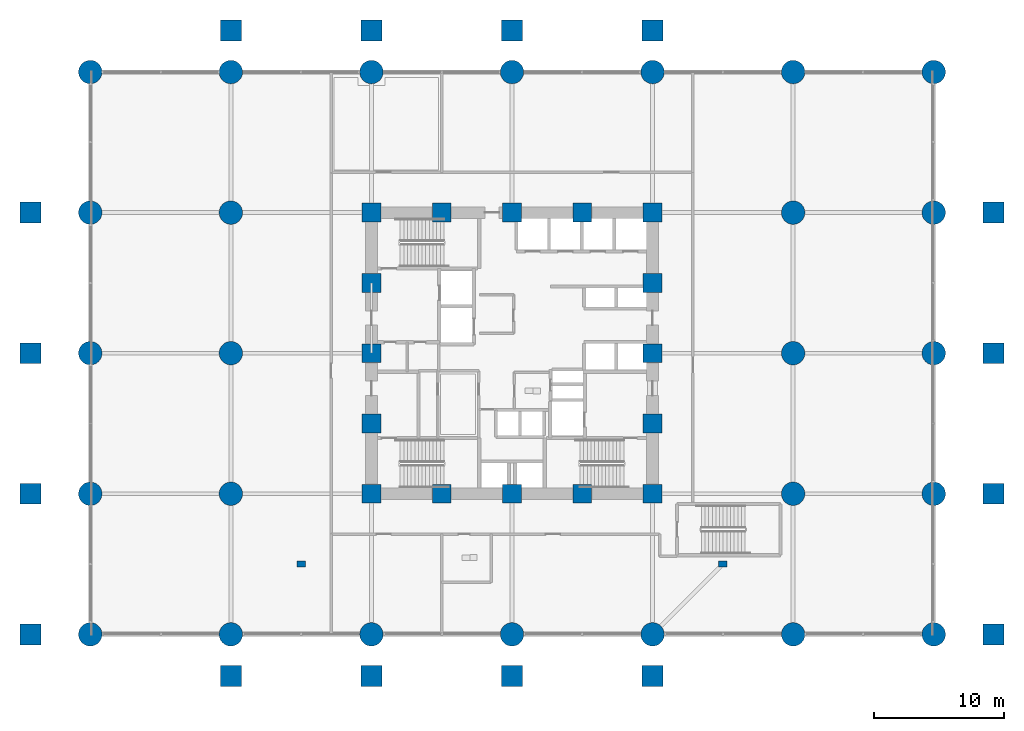
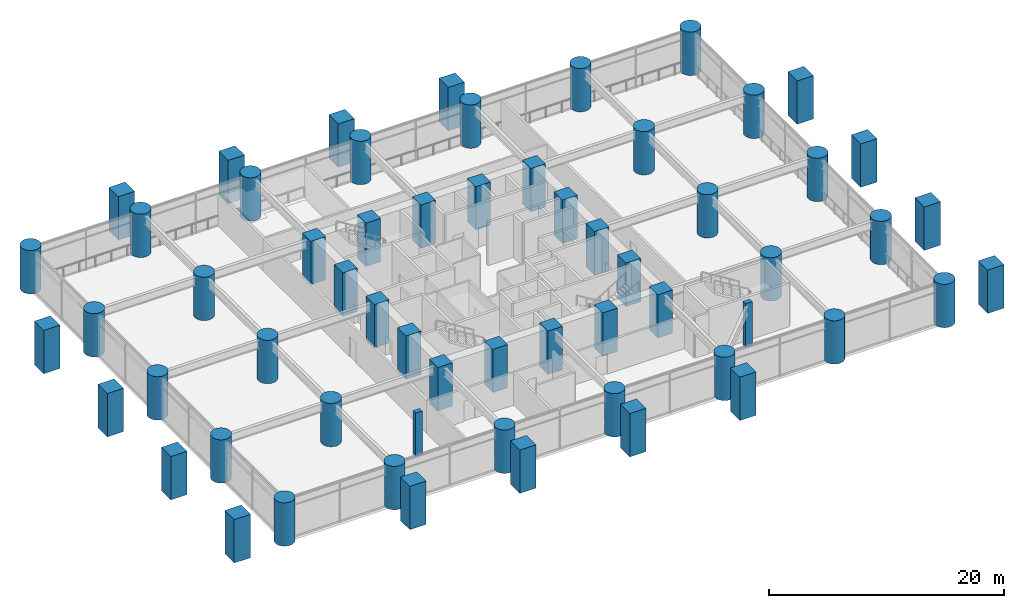
# One storey, part 1 of 31: 60 columns.
"""IFC4 building model written with IfcOpenShell, lengths in metres."""

from ifc_helpers import new_model, si_unit, direction, frame, origin, origin_2d, place, context, subcontext, project, spatial, rectangle, circle, extrude, material, material_profile, profile_set, type_object, element, save


model = new_model("IFC4")

# Units and contexts
model_context = context("Model", 3, precision=1e-05, world=origin(), true_north=direction((0.0, 1.0)))
body_context = subcontext(model_context, "Body", "Model", "MODEL_VIEW")
ifc_project = project(units=[si_unit("LENGTHUNIT", "METRE"), si_unit("AREAUNIT", "SQUARE_METRE"), si_unit("VOLUMEUNIT", "CUBIC_METRE"), si_unit("PLANEANGLEUNIT", "RADIAN"), si_unit("MASSUNIT", "GRAM", prefix="KILO")], contexts=[model_context])

# Site, building, storey
site_placement = place(None, origin())
site = spatial("IfcSite", under=ifc_project, at=site_placement, CompositionType="ELEMENT")
building_placement = place(site_placement, origin())
building = spatial("IfcBuilding", under=site, at=building_placement, Name="Surkhivell Harbour Commons", CompositionType="ELEMENT")
storey_placement = place(building_placement, frame((0.0, 0.0, 4.5)))
storey = spatial("IfcBuildingStorey", under=building, at=storey_placement, Name="L01", CompositionType="ELEMENT", Elevation=4.5)

# Columns
ifc_material_1 = material(Name="Concrete C80/95", Category="concrete")
ifc_material_profile_1 = material_profile(ifc_material_1, rectangle(XDim=1.449951171875, YDim=1.449951171875, at=origin_2d()), Name="RC-COL-1450x1450")
ifc_profile_set_1 = profile_set([ifc_material_profile_1], Name="Concrete C80/95")
column_type_1 = type_object("IfcColumnType", Name="COL-CORE-1450", PredefinedType="COLUMN", material=ifc_profile_set_1)
for number, where, z_axis, x_axis, name in (
    (1, (-10.800048828125, -10.800048828125, 0.0), (0.0, 0.0, 1.0), (1.0, 0.0, 0.0), "L01 Column CC-1 (-10.8,-10.8)"),
    (2, (-10.800048828125, -5.39990234375, 0.0), (0.0, 0.0, 1.0), (1.0, 0.0, 0.0), "L01 Column CC-1 (-10.8,-5.4)"),
    (3, (-10.800048828125, 0.0, 0.0), (0.0, 0.0, 1.0), (1.0, 0.0, 0.0), "L01 Column CC-1 (-10.8,0.0)"),
    (4, (-10.800048828125, 5.39990234375, 0.0), (0.0, 0.0, 1.0), (1.0, 0.0, 0.0), "L01 Column CC-1 (-10.8,5.4)"),
    (5, (-10.800048828125, 10.800048828125, 0.0), (0.0, 0.0, 1.0), (1.0, 0.0, 0.0), "L01 Column CC-1 (-10.8,10.8)"),
    (6, (-5.39990234375, -10.800048828125, 0.0), (0.0, 0.0, 1.0), (1.0, 0.0, 0.0), "L01 Column CC-1 (-5.4,-10.8)"),
    (7, (-5.39990234375, 10.800048828125, 0.0), (0.0, 0.0, 1.0), (1.0, 0.0, 0.0), "L01 Column CC-1 (-5.4,10.8)"),
    (8, (0.0, -10.800048828125, 0.0), (0.0, 0.0, 1.0), (1.0, 0.0, 0.0), "L01 Column CC-1 (0.0,-10.8)"),
    (9, (0.0, 10.800048828125, 0.0), (0.0, 0.0, 1.0), (1.0, 0.0, 0.0), "L01 Column CC-1 (0.0,10.8)"),
    (10, (5.39990234375, -10.800048828125, 0.0), (0.0, 0.0, 1.0), (1.0, 0.0, 0.0), "L01 Column CC-1 (5.4,-10.8)"),
    (11, (5.39990234375, 10.800048828125, 0.0), (0.0, 0.0, 1.0), (1.0, 0.0, 0.0), "L01 Column CC-1 (5.4,10.8)"),
    (12, (10.800048828125, -10.800048828125, 0.0), (0.0, 0.0, 1.0), (1.0, 0.0, 0.0), "L01 Column CC-1 (10.8,-10.8)"),
    (13, (10.800048828125, -5.39990234375, 0.0), (0.0, 0.0, 1.0), (1.0, 0.0, 0.0), "L01 Column CC-1 (10.8,-5.4)"),
    (14, (10.800048828125, 0.0, 0.0), (0.0, 0.0, 1.0), (1.0, 0.0, 0.0), "L01 Column CC-1 (10.8,0.0)"),
    (15, (10.800048828125, 5.39990234375, 0.0), (0.0, 0.0, 1.0), (1.0, 0.0, 0.0), "L01 Column CC-1 (10.8,5.4)"),
    (16, (10.800048828125, 10.800048828125, 0.0), (0.0, 0.0, 1.0), (1.0, 0.0, 0.0), "L01 Column CC-1 (10.8,10.8)"),
):
    element("IfcColumn", number, at=place(storey_placement, frame(where, z_axis=z_axis, x_axis=x_axis)), inside=storey, type_object=column_type_1, Name=name, PredefinedType="COLUMN", context=body_context, shape_type="SweptSolid", body=[
        extrude(rectangle(XDim=1.449951171875, YDim=1.449951171875, at=origin_2d()), origin(), (0.0, 0.0, 1.0), 4.5),
    ])
ifc_material_profile_2 = material_profile(ifc_material_1, rectangle(XDim=1.60009765625, YDim=1.60009765625, at=origin_2d()), Name="RC-COL-1600x1600")
ifc_profile_set_2 = profile_set([ifc_material_profile_2], Name="Concrete C80/95")
column_type_2 = type_object("IfcColumnType", Name="COL-MEGA-1600", PredefinedType="COLUMN", material=ifc_profile_set_2)
for number, where, z_axis, x_axis, name in (
    (17, (-37.0, -21.60009765625, 0.0), (0.0, 0.0, 1.0), (1.0, 0.0, 0.0), "L01 Column CM-1 (-37.0,-21.6)"),
    (18, (-37.0, -10.800048828125, 0.0), (0.0, 0.0, 1.0), (1.0, 0.0, 0.0), "L01 Column CM-1 (-37.0,-10.8)"),
    (19, (-37.0, 0.0, 0.0), (0.0, 0.0, 1.0), (1.0, 0.0, 0.0), "L01 Column CM-1 (-37.0,0.0)"),
    (20, (-37.0, 10.800048828125, 0.0), (0.0, 0.0, 1.0), (1.0, 0.0, 0.0), "L01 Column CM-1 (-37.0,10.8)"),
    (21, (-21.60009765625, -24.800048828125, 0.0), (0.0, 0.0, 1.0), (1.0, 0.0, 0.0), "L01 Column CM-1 (-21.6,-24.8)"),
    (22, (-21.60009765625, 24.800048828125, 0.0), (0.0, 0.0, 1.0), (1.0, 0.0, 0.0), "L01 Column CM-1 (-21.6,24.8)"),
    (23, (-10.800048828125, -24.800048828125, 0.0), (0.0, 0.0, 1.0), (1.0, 0.0, 0.0), "L01 Column CM-1 (-10.8,-24.8)"),
    (24, (-10.800048828125, 24.800048828125, 0.0), (0.0, 0.0, 1.0), (1.0, 0.0, 0.0), "L01 Column CM-1 (-10.8,24.8)"),
    (25, (0.0, -24.800048828125, 0.0), (0.0, 0.0, 1.0), (1.0, 0.0, 0.0), "L01 Column CM-1 (0.0,-24.8)"),
    (26, (0.0, 24.800048828125, 0.0), (0.0, 0.0, 1.0), (1.0, 0.0, 0.0), "L01 Column CM-1 (0.0,24.8)"),
    (27, (10.800048828125, -24.800048828125, 0.0), (0.0, 0.0, 1.0), (1.0, 0.0, 0.0), "L01 Column CM-1 (10.8,-24.8)"),
    (28, (10.800048828125, 24.800048828125, 0.0), (0.0, 0.0, 1.0), (1.0, 0.0, 0.0), "L01 Column CM-1 (10.8,24.8)"),
    (29, (37.0, -21.60009765625, 0.0), (0.0, 0.0, 1.0), (1.0, 0.0, 0.0), "L01 Column CM-1 (37.0,-21.6)"),
    (30, (37.0, -10.800048828125, 0.0), (0.0, 0.0, 1.0), (1.0, 0.0, 0.0), "L01 Column CM-1 (37.0,-10.8)"),
    (31, (37.0, 0.0, 0.0), (0.0, 0.0, 1.0), (1.0, 0.0, 0.0), "L01 Column CM-1 (37.0,0.0)"),
    (32, (37.0, 10.800048828125, 0.0), (0.0, 0.0, 1.0), (1.0, 0.0, 0.0), "L01 Column CM-1 (37.0,10.8)"),
):
    element("IfcColumn", number, at=place(storey_placement, frame(where, z_axis=z_axis, x_axis=x_axis)), inside=storey, type_object=column_type_2, Name=name, PredefinedType="COLUMN", context=body_context, shape_type="SweptSolid", body=[
        extrude(rectangle(XDim=1.60009765625, YDim=1.60009765625, at=origin_2d()), origin(), (0.0, 0.0, 1.0), 4.5),
    ])
ifc_material_2 = material(Name="Concrete C50/60", Category="concrete")
ifc_material_profile_3 = material_profile(ifc_material_2, rectangle(XDim=0.64990234375, YDim=0.449951171875, at=origin_2d()), Name="RC-PIL-650x450")
ifc_profile_set_3 = profile_set([ifc_material_profile_3], Name="Concrete C50/60")
column_type_3 = type_object("IfcColumnType", Name="COL-PIL-650", PredefinedType="PILASTER", material=ifc_profile_set_3)
for number, where, z_axis, x_axis, name in (
    (33, (-16.199951171875, -16.199951171875, 0.0), (0.0, 0.0, 1.0), (1.0, 0.0, 0.0), "L01 Brick-Clad Entrance Pilaster 1"),
    (34, (16.199951171875, -16.199951171875, 0.0), (0.0, 0.0, 1.0), (1.0, 0.0, 0.0), "L01 Brick-Clad Entrance Pilaster 2"),
):
    element("IfcColumn", number, at=place(storey_placement, frame(where, z_axis=z_axis, x_axis=x_axis)), inside=storey, type_object=column_type_3, Name=name, PredefinedType="PILASTER", context=body_context, shape_type="SweptSolid", body=[
        extrude(rectangle(XDim=0.64990234375, YDim=0.449951171875, at=origin_2d()), origin(), (0.0, 0.0, 1.0), 4.5),
    ])
ifc_material_profile_4 = material_profile(ifc_material_1, circle(Radius=0.89990234375, at=origin_2d()), Name="RC-CIRC-1800")
ifc_profile_set_4 = profile_set([ifc_material_profile_4], Name="Concrete C80/95")
column_type_4 = type_object("IfcColumnType", Name="COL-STILT-1800", PredefinedType="COLUMN", material=ifc_profile_set_4)
for number, where, z_axis, x_axis, name in (
    (35, (-32.39990234375, -21.60009765625, 0.0), (0.0, 0.0, 1.0), (1.0, 0.0, 0.0), "L01 Column CS-1 (-32.4,-21.6)"),
    (36, (-32.39990234375, -10.800048828125, 0.0), (0.0, 0.0, 1.0), (1.0, 0.0, 0.0), "L01 Column CS-1 (-32.4,-10.8)"),
    (37, (-32.39990234375, 0.0, 0.0), (0.0, 0.0, 1.0), (1.0, 0.0, 0.0), "L01 Column CS-1 (-32.4,0.0)"),
    (38, (-32.39990234375, 10.800048828125, 0.0), (0.0, 0.0, 1.0), (1.0, 0.0, 0.0), "L01 Column CS-1 (-32.4,10.8)"),
    (39, (-32.39990234375, 21.60009765625, 0.0), (0.0, 0.0, 1.0), (1.0, 0.0, 0.0), "L01 Column CS-1 (-32.4,21.6)"),
    (40, (-21.60009765625, -21.60009765625, 0.0), (0.0, 0.0, 1.0), (1.0, 0.0, 0.0), "L01 Column CS-1 (-21.6,-21.6)"),
    (41, (-21.60009765625, -10.800048828125, 0.0), (0.0, 0.0, 1.0), (1.0, 0.0, 0.0), "L01 Column CS-1 (-21.6,-10.8)"),
    (42, (-21.60009765625, 0.0, 0.0), (0.0, 0.0, 1.0), (1.0, 0.0, 0.0), "L01 Column CS-1 (-21.6,0.0)"),
    (43, (-21.60009765625, 10.800048828125, 0.0), (0.0, 0.0, 1.0), (1.0, 0.0, 0.0), "L01 Column CS-1 (-21.6,10.8)"),
    (44, (-21.60009765625, 21.60009765625, 0.0), (0.0, 0.0, 1.0), (1.0, 0.0, 0.0), "L01 Column CS-1 (-21.6,21.6)"),
    (45, (-10.800048828125, -21.60009765625, 0.0), (0.0, 0.0, 1.0), (1.0, 0.0, 0.0), "L01 Column CS-1 (-10.8,-21.6)"),
    (46, (-10.800048828125, 21.60009765625, 0.0), (0.0, 0.0, 1.0), (1.0, 0.0, 0.0), "L01 Column CS-1 (-10.8,21.6)"),
    (47, (0.0, -21.60009765625, 0.0), (0.0, 0.0, 1.0), (1.0, 0.0, 0.0), "L01 Column CS-1 (0.0,-21.6)"),
    (48, (0.0, 21.60009765625, 0.0), (0.0, 0.0, 1.0), (1.0, 0.0, 0.0), "L01 Column CS-1 (0.0,21.6)"),
    (49, (10.800048828125, -21.60009765625, 0.0), (0.0, 0.0, 1.0), (1.0, 0.0, 0.0), "L01 Column CS-1 (10.8,-21.6)"),
    (50, (10.800048828125, 21.60009765625, 0.0), (0.0, 0.0, 1.0), (1.0, 0.0, 0.0), "L01 Column CS-1 (10.8,21.6)"),
    (51, (21.60009765625, -21.60009765625, 0.0), (0.0, 0.0, 1.0), (1.0, 0.0, 0.0), "L01 Column CS-1 (21.6,-21.6)"),
    (52, (21.60009765625, -10.800048828125, 0.0), (0.0, 0.0, 1.0), (1.0, 0.0, 0.0), "L01 Column CS-1 (21.6,-10.8)"),
    (53, (21.60009765625, 0.0, 0.0), (0.0, 0.0, 1.0), (1.0, 0.0, 0.0), "L01 Column CS-1 (21.6,0.0)"),
    (54, (21.60009765625, 10.800048828125, 0.0), (0.0, 0.0, 1.0), (1.0, 0.0, 0.0), "L01 Column CS-1 (21.6,10.8)"),
    (55, (21.60009765625, 21.60009765625, 0.0), (0.0, 0.0, 1.0), (1.0, 0.0, 0.0), "L01 Column CS-1 (21.6,21.6)"),
    (56, (32.39990234375, -21.60009765625, 0.0), (0.0, 0.0, 1.0), (1.0, 0.0, 0.0), "L01 Column CS-1 (32.4,-21.6)"),
    (57, (32.39990234375, -10.800048828125, 0.0), (0.0, 0.0, 1.0), (1.0, 0.0, 0.0), "L01 Column CS-1 (32.4,-10.8)"),
    (58, (32.39990234375, 0.0, 0.0), (0.0, 0.0, 1.0), (1.0, 0.0, 0.0), "L01 Column CS-1 (32.4,0.0)"),
    (59, (32.39990234375, 10.800048828125, 0.0), (0.0, 0.0, 1.0), (1.0, 0.0, 0.0), "L01 Column CS-1 (32.4,10.8)"),
    (60, (32.39990234375, 21.60009765625, 0.0), (0.0, 0.0, 1.0), (1.0, 0.0, 0.0), "L01 Column CS-1 (32.4,21.6)"),
):
    element("IfcColumn", number, at=place(storey_placement, frame(where, z_axis=z_axis, x_axis=x_axis)), inside=storey, type_object=column_type_4, Name=name, PredefinedType="COLUMN", context=body_context, shape_type="SweptSolid", body=[
        extrude(circle(Radius=0.89990234375, at=origin_2d()), origin(), (0.0, 0.0, 1.0), 4.5),
    ])

save(model, "model.ifc")
